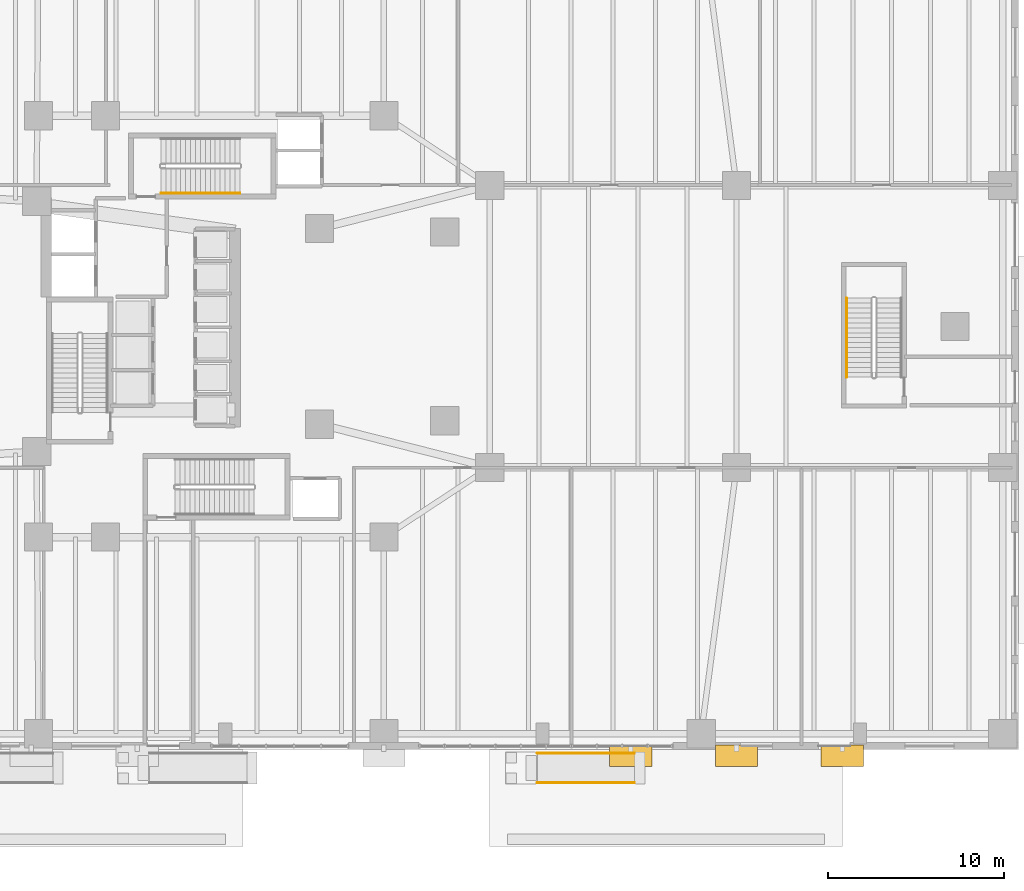
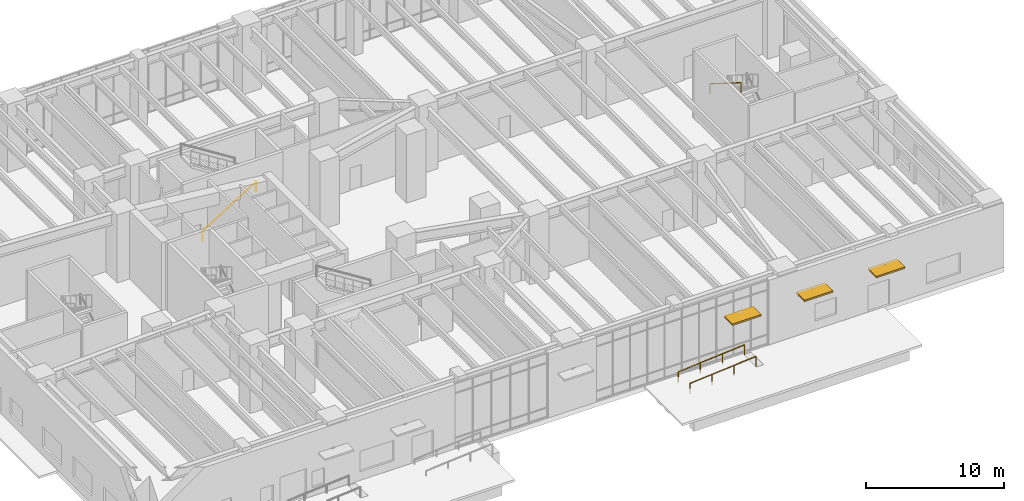
# One storey, part 25 of 28: 4 railings, 3 shading devices.
"""IFC4 building model written with IfcOpenShell, lengths in metres."""

from ifc_helpers import new_model, si_unit, direction, frame, origin, origin_2d, place, context, subcontext, project, spatial, rectangle, circle, extrude, material, layer, layer_set, type_object, element, save


model = new_model("IFC4")

# Units and contexts
model_context = context("Model", 3, precision=1e-05, world=origin(), true_north=direction((0.0, 1.0)))
body_context = subcontext(model_context, "Body", "Model", "MODEL_VIEW")
ifc_project = project(units=[si_unit("LENGTHUNIT", "METRE"), si_unit("AREAUNIT", "SQUARE_METRE"), si_unit("VOLUMEUNIT", "CUBIC_METRE"), si_unit("PLANEANGLEUNIT", "RADIAN"), si_unit("MASSUNIT", "GRAM", prefix="KILO"), si_unit("THERMODYNAMICTEMPERATUREUNIT", "KELVIN"), si_unit("POWERUNIT", "WATT")], contexts=[model_context])

# Site, building, storey
site_placement = place(None, origin())
site = spatial("IfcSite", under=ifc_project, at=site_placement, CompositionType="ELEMENT")
building_placement = place(site_placement, origin())
building = spatial("IfcBuilding", under=site, at=building_placement, Name="Skarre Station Tower", CompositionType="ELEMENT")
storey_placement = place(building_placement, origin())
storey = spatial("IfcBuildingStorey", under=building, at=storey_placement, Name="L01", CompositionType="ELEMENT", Elevation=0.0)

# Shading devices
ifc_material_1 = material(Name="Bronze Anodized Aluminium Blade Canopy", Category="aluminium")
ifc_layer = layer(ifc_material_1, 0.139892578125, Name="Bronze Anodized Aluminium Blade Canopy")
ifc_layer_set = layer_set([ifc_layer], Name="Bronze Anodized Aluminium Blade Canopy")
shading_device_type = type_object("IfcShadingDeviceType", Name="Entrance Canopy Sun-Breaker Awning 2400x1200", PredefinedType="AWNING", material=ifc_layer_set)
for number, where, z_axis, x_axis, name in (
    (1, (50.0, -0.35009765625, 3.5302734375), (0.0, 0.0, 1.0), (1.0, 0.0, 0.0), "L01 South Concourse Entrance Canopy Awning 4"),
    (2, (56.0, -0.35009765625, 3.5302734375), (0.0, 0.0, 1.0), (1.0, 0.0, 0.0), "L01 South Concourse Entrance Canopy Awning 5"),
    (3, (62.0, -0.35009765625, 3.5302734375), (0.0, 0.0, 1.0), (1.0, 0.0, 0.0), "L01 South Concourse Entrance Canopy Awning 6"),
):
    element("IfcShadingDevice", number, at=place(storey_placement, frame(where, z_axis=z_axis, x_axis=x_axis)), inside=storey, type_object=shading_device_type, Name=name, PredefinedType="AWNING", context=body_context, shape_type="SweptSolid", body=[
        extrude(rectangle(XDim=2.39990234375, YDim=1.199951171875, at=origin_2d()), origin(), (0.0, 0.0, 1.0), 0.139892578125),
    ])

# Railings
ifc_material_2 = material(Name="Powder-Coated Tubular Steel", Category="steel")
railing_type = type_object("IfcRailingType", Name="Painted Steel Ramp & Stair Handrail 920", PredefinedType="HANDRAIL", material=ifc_material_2)
railing_1_placement = place(storey_placement, frame((23.35009765625, 31.550048828125, 0.176513671875)))
element("IfcRailing", 4, at=railing_1_placement, inside=storey, type_object=railing_type, Name="L01 ST-3 stair handrail 1", PredefinedType="HANDRAIL", context=body_context, shape_type="SweptSolid", body=[
    extrude(circle(Radius=0.02392578125, at=origin_2d()), frame((0.0, 0.0, 0.8759765625), z_axis=(0.845997938375, 0.0, 0.533186166611), x_axis=(0.0, 1.0, 0.0)), (0.0, 0.0, 1.0), 5.29541015625),
    extrude(circle(Radius=0.02099609375, at=origin_2d()), origin(), (0.0, 0.0, 1.0), 0.851806640625),
    extrude(circle(Radius=0.02099609375, at=origin_2d()), frame((4.47998046875, 0.0, 2.823486328125)), (0.0, 0.0, 1.0), 0.851806640625),
])
railing_2_placement = place(storey_placement, frame((62.25, 25.60009765625, 3.176513671875)))
element("IfcRailing", 5, at=railing_2_placement, inside=storey, type_object=railing_type, Name="L01 ST-5 stair handrail 2", PredefinedType="HANDRAIL", context=body_context, shape_type="SweptSolid", body=[
    extrude(circle(Radius=0.02392578125, at=origin_2d()), frame((0.0, 0.0, 0.8759765625), z_axis=(0.0, -0.845997938375, 0.533186166611), x_axis=(1.0, 0.0, 0.0)), (0.0, 0.0, 1.0), 5.29541015625),
    extrude(circle(Radius=0.02099609375, at=origin_2d()), origin(), (0.0, 0.0, 1.0), 0.851806640625),
    extrude(circle(Radius=0.02099609375, at=origin_2d()), frame((0.0, -4.47998046875, 2.823486328125)), (0.0, 0.0, 1.0), 0.851806640625),
])
for number, where, name in (
    (6, (44.699951171875, -1.889892578125, -0.4599609375), "South East Station Accessible Ramp Handrail A"),
    (7, (44.699951171875, -0.2099609375, -0.4599609375), "South East Station Accessible Ramp Handrail B"),
):
    element("IfcRailing", number, at=place(storey_placement, frame(where)), inside=storey, type_object=railing_type, Name=name, PredefinedType="HANDRAIL", context=body_context, shape_type="SweptSolid", body=[
        extrude(circle(Radius=0.02392578125, at=origin_2d()), frame((0.0, 0.0, 0.89599609375), z_axis=(0.996546366156, 0.0, 0.083038184601), x_axis=(0.0, 1.0, 0.0)), (0.0, 0.0, 1.0), 5.5390625),
        extrude(circle(Radius=0.02099609375, at=origin_2d()), origin(), (0.0, 0.0, 1.0), 0.871826171875),
        extrude(circle(Radius=0.02099609375, at=origin_2d()), frame((1.840087890625, 0.0, 0.1533203125)), (0.0, 0.0, 1.0), 0.871826171875),
        extrude(circle(Radius=0.02099609375, at=origin_2d()), frame((3.679931640625, 0.0, 0.306640625)), (0.0, 0.0, 1.0), 0.871826171875),
        extrude(circle(Radius=0.02099609375, at=origin_2d()), frame((5.52001953125, 0.0, 0.4599609375)), (0.0, 0.0, 1.0), 0.871826171875),
    ])

save(model, "model.ifc")
